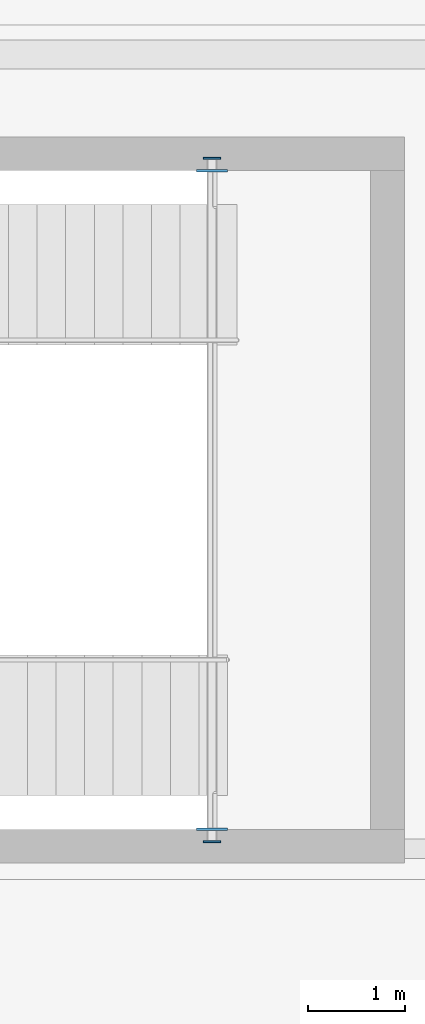
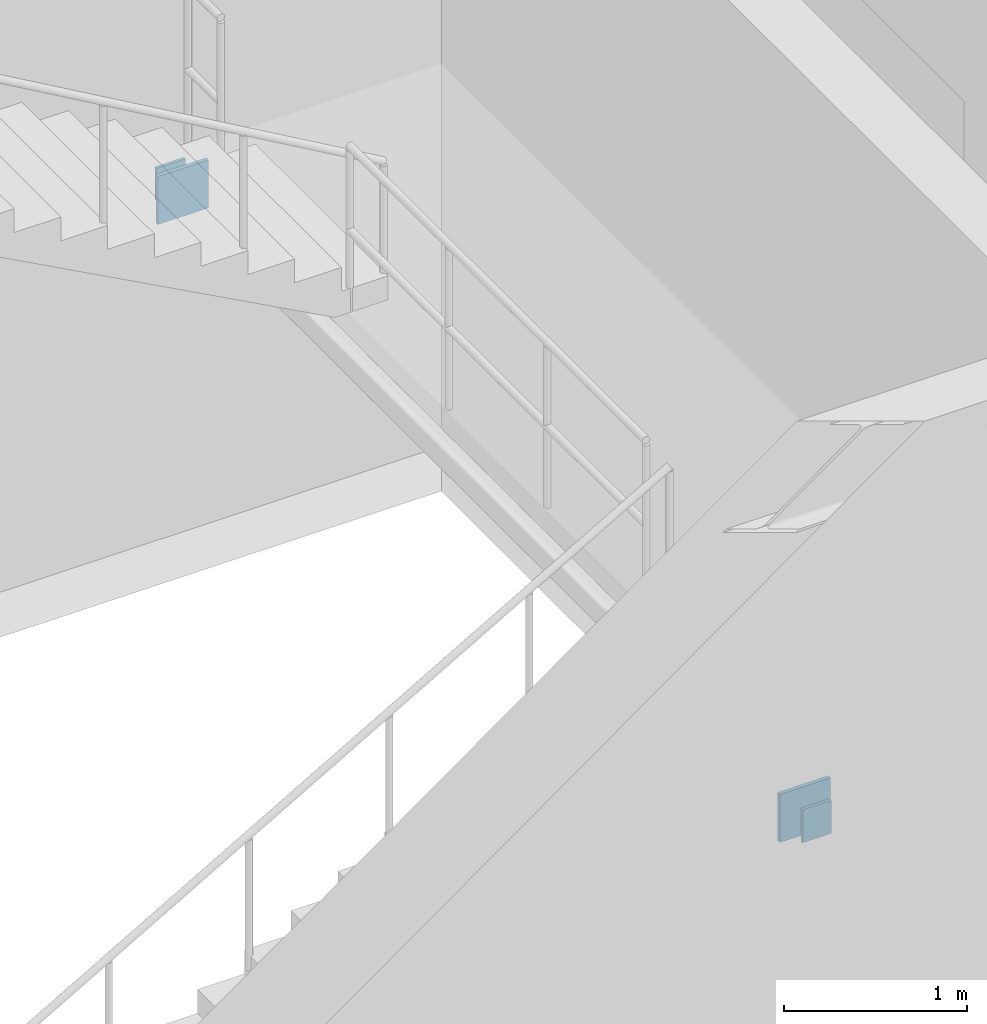
# One storey, part 33 of 68: 4 plates.
"""IFC4 building model written with IfcOpenShell, lengths in metres."""

from ifc_helpers import new_model, si_unit, direction, frame, origin, origin_2d, place, context, subcontext, project, spatial, rectangle, extrude, material, layer, layer_set, type_object, element, save


model = new_model("IFC4")

# Units and contexts
model_context = context("Model", 3, precision=1e-05, world=origin(), true_north=direction((0.0, 1.0)))
body_context = subcontext(model_context, "Body", "Model", "MODEL_VIEW")
ifc_project = project(units=[si_unit("LENGTHUNIT", "METRE"), si_unit("AREAUNIT", "SQUARE_METRE"), si_unit("VOLUMEUNIT", "CUBIC_METRE"), si_unit("PLANEANGLEUNIT", "RADIAN"), si_unit("MASSUNIT", "GRAM", prefix="KILO"), si_unit("THERMODYNAMICTEMPERATUREUNIT", "KELVIN"), si_unit("POWERUNIT", "WATT")], contexts=[model_context])

# Site, building, storey
site_placement = place(None, origin())
site = spatial("IfcSite", under=ifc_project, at=site_placement, CompositionType="ELEMENT")
building_placement = place(site_placement, origin())
building = spatial("IfcBuilding", under=site, at=building_placement, Name="Solvatero Civic Police Headquarters", CompositionType="ELEMENT")
storey_placement = place(building_placement, origin())
storey = spatial("IfcBuildingStorey", under=building, at=storey_placement, Name="L00", CompositionType="ELEMENT", Elevation=0.0)

# Plates
ifc_material = material(Name="Steel S355", Category="steel")
ifc_layer_1 = layer(ifc_material, 0.02001953125)
ifc_layer_set_1 = layer_set([ifc_layer_1], Name="Steel S355")
plate_type_1 = type_object("IfcPlateType", Name="PLT-CAP-20", PredefinedType="SHEET", material=ifc_layer_set_1)
for number, where, z_axis, x_axis, name in (
    (1, (24.764892578125, 75.070068359375, 2.1650390625), (0.0, 0.0, 1.0), (1.0, 0.0, 0.0), "Hollow Section Cap Plate 0055"),
    (2, (24.764892578125, 82.1298828125, 2.1650390625), (0.0, 0.0, 1.0), (1.0, 0.0, 0.0), "Hollow Section Cap Plate 0056"),
):
    element("IfcPlate", number, at=place(storey_placement, frame(where, z_axis=z_axis, x_axis=x_axis)), inside=storey, type_object=plate_type_1, Name=name, PredefinedType="SHEET", context=body_context, shape_type="SweptSolid", body=[
        extrude(rectangle(XDim=0.179931640625, YDim=0.02001953125, at=origin_2d()), origin(), (0.0, 0.0, 1.0), 0.219970703125),
    ])
ifc_layer_2 = layer(ifc_material, 0.02490234375)
ifc_layer_set_2 = layer_set([ifc_layer_2], Name="Steel S355")
plate_type_2 = type_object("IfcPlateType", Name="PLT-EMB-25", PredefinedType="SHEET", material=ifc_layer_set_2)
for number, where, z_axis, x_axis, name in (
    (3, (24.764892578125, 75.199951171875, 2.11474609375), (0.0, 0.0, 1.0), (1.0, 0.0, 0.0), "Cast-In Shear Wall Embed Plate 0055"),
    (4, (24.764892578125, 82.0, 2.11474609375), (0.0, 0.0, 1.0), (1.0, 0.0, 0.0), "Cast-In Shear Wall Embed Plate 0056"),
):
    element("IfcPlate", number, at=place(storey_placement, frame(where, z_axis=z_axis, x_axis=x_axis)), inside=storey, type_object=plate_type_2, Name=name, PredefinedType="SHEET", context=body_context, shape_type="SweptSolid", body=[
        extrude(rectangle(XDim=0.320068359375, YDim=0.02490234375, at=origin_2d()), origin(), (0.0, 0.0, 1.0), 0.320068359375),
    ])

save(model, "model.ifc")
